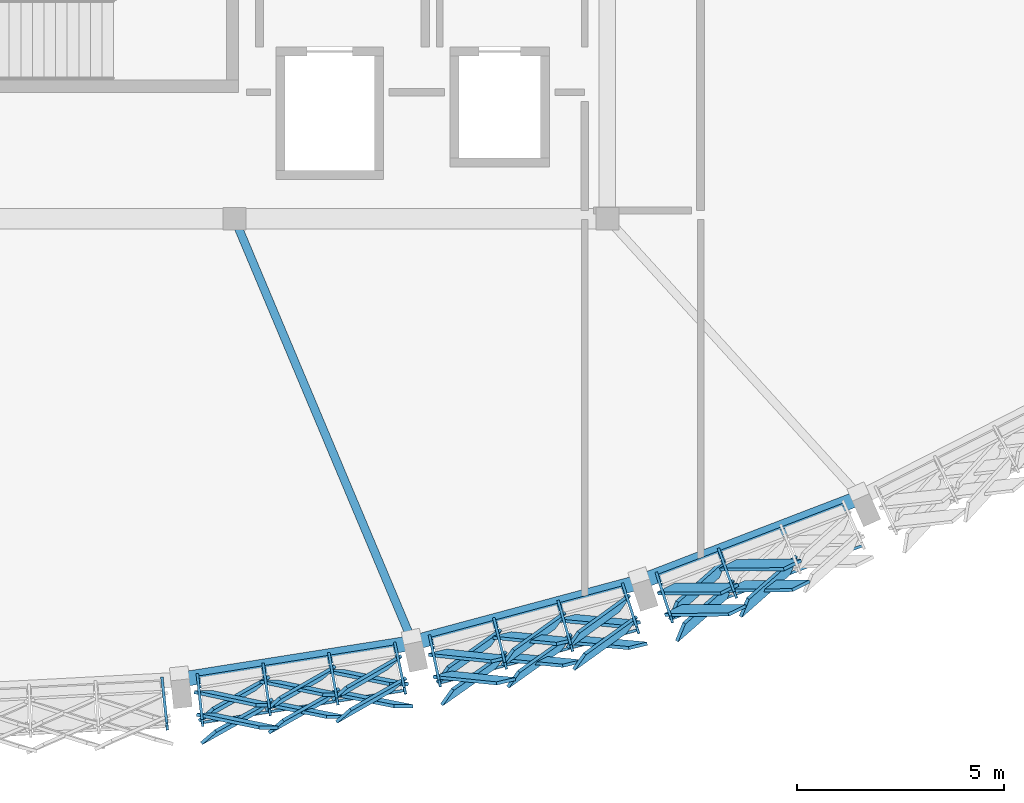
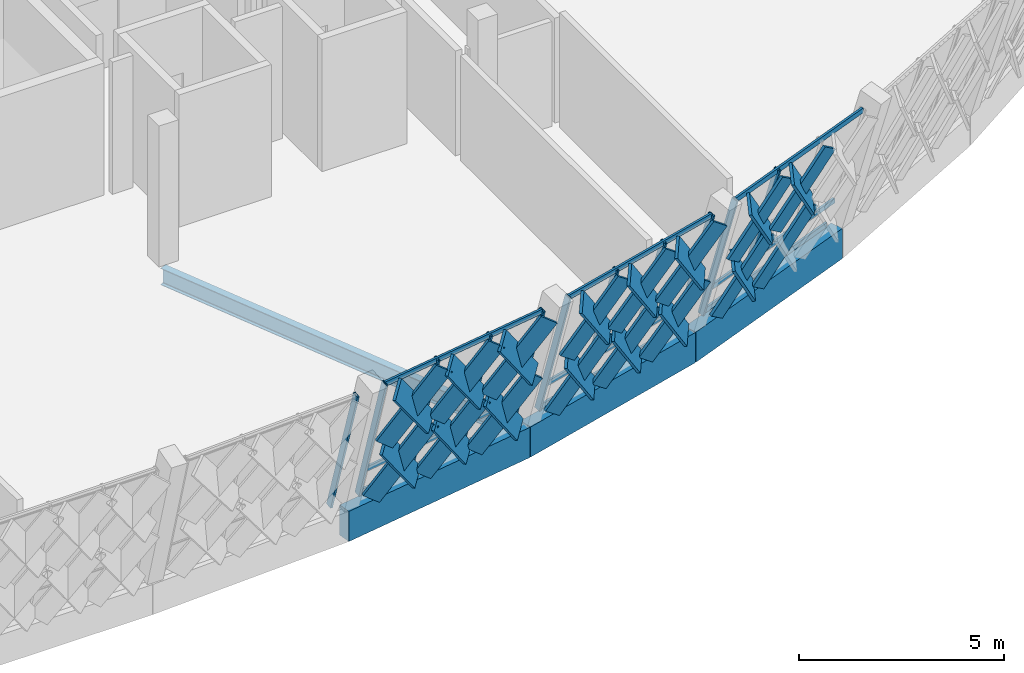
# One storey, part 50 of 94: 51 members, 4 beams, 4 elements without a shape of their own.
"""IFC4 building model written with IfcOpenShell, lengths in metres."""

from ifc_helpers import new_model, si_unit, direction, frame, origin, origin_2d, place, context, subcontext, project, spatial, rectangle, hollow_rectangle, i_section, extrude, material, material_profile, profile_set, type_object, element, aggregate, save


model = new_model("IFC4")

# Units and contexts
model_context = context("Model", 3, precision=1e-05, world=origin(), true_north=direction((0.0, 1.0)))
body_context = subcontext(model_context, "Body", "Model", "MODEL_VIEW")
ifc_project = project(units=[si_unit("LENGTHUNIT", "METRE"), si_unit("AREAUNIT", "SQUARE_METRE"), si_unit("VOLUMEUNIT", "CUBIC_METRE"), si_unit("PLANEANGLEUNIT", "RADIAN"), si_unit("MASSUNIT", "GRAM", prefix="KILO")], contexts=[model_context])

# Site, building, storey
site_placement = place(None, origin())
site = spatial("IfcSite", under=ifc_project, at=site_placement, CompositionType="ELEMENT")
building_placement = place(site_placement, origin())
building = spatial("IfcBuilding", under=site, at=building_placement, Name="Chiffa Square Polytechnic", CompositionType="ELEMENT")
storey_placement = place(building_placement, frame((0.0, 0.0, 18.0)))
storey = spatial("IfcBuildingStorey", under=building, at=storey_placement, Name="L04", CompositionType="ELEMENT", Elevation=18.0)

# Beam
ifc_material_1 = material(Name="Steel S355", Category="steel")
ifc_material_profile_1 = material_profile(ifc_material_1, i_section(OverallWidth=0.199951171875, OverallDepth=0.5, WebThickness=0.01025390625, FlangeThickness=0.01611328125, FilletRadius=0.02099609375, at=origin_2d()), Name="IPE 500")
ifc_profile_set_1 = profile_set([ifc_material_profile_1], Name="Steel S355")
beam_type_1 = type_object("IfcBeamType", Name="BM-STL-IPE500", PredefinedType="BEAM", material=ifc_profile_set_1)
beam_1_placement = place(storey_placement, frame((134.506103515625, 4.160888671875, -0.489990234375), z_axis=(-0.38767374813, 0.921796650575, 0.0), x_axis=(-0.921796650575, -0.38767374813, 0.0)))
element("IfcBeam", 1, at=beam_1_placement, inside=storey, type_object=beam_type_1, Name="Prow radial tie girder BM-V1-RAD-L04-05", PredefinedType="BEAM", context=body_context, shape_type="SweptSolid", body=[
    extrude(i_section(OverallWidth=0.199951171875, OverallDepth=0.5, WebThickness=0.01025390625, FlangeThickness=0.01611328125, FilletRadius=0.02099609375, at=origin_2d()), origin(), (0.0, 0.0, 1.0), 11.107666015625),
])

# Curtain wall, member
ifc_material_2 = material(Name="Aluminium EN AW-6060 T66 and glulam shading", Category="wood")
curtain_wall_type_1 = type_object("IfcCurtainWallType", Name="CW-PROW-LEAN-150", PredefinedType="USERDEFINED", material=ifc_material_2)
curtain_wall_1_placement = place(storey_placement, origin())
curtain_wall_1 = element("IfcCurtainWall", 2, at=curtain_wall_1_placement, inside=storey, type_object=curtain_wall_type_1, Name="Outward-leaning diamond-fin prow curtain wall CW-V1-L04-063", ObjectType="CURTAIN WALL", PredefinedType="USERDEFINED")
ifc_material_3 = material(Name="Aluminium EN AW-6060 T66", Category="aluminium")
ifc_material_profile_2 = material_profile(ifc_material_3, hollow_rectangle(XDim=0.06494140625, YDim=0.179931640625, WallThickness=0.00390625, at=origin_2d()), Name="ALU 65x180x4")
ifc_profile_set_2 = profile_set([ifc_material_profile_2], Name="Aluminium EN AW-6060 T66")
member_type_1 = type_object("IfcMemberType", Name="CWM-ALU-75X180", PredefinedType="MULLION", material=ifc_profile_set_2)
member_1_placement = place(storey_placement, frame((128.455078125, 3.248046875, 0.0), z_axis=(0.028321034667, -0.270868337882, 0.962199699921), x_axis=(0.994578385047, 0.103989595619, 0.0)))
member_1 = element("IfcMember", 3, at=member_1_placement, type_object=member_type_1, Name="Leaning prow mullion CW-V1-L04-063-M03", PredefinedType="MULLION", context=body_context, shape_type="SweptSolid", body=[
    extrude(hollow_rectangle(XDim=0.06494140625, YDim=0.179931640625, WallThickness=0.00390625, at=origin_2d()), origin(), (0.0, 0.0, 1.0), 4.0947265625),
])
aggregate(curtain_wall_1, [member_1])

# Curtain wall, members
curtain_wall_type_2 = type_object("IfcCurtainWallType", Name="CW-PROW-LEAN-300", PredefinedType="USERDEFINED", material=ifc_material_2)
curtain_wall_2_placement = place(storey_placement, origin())
curtain_wall_2 = element("IfcCurtainWall", 4, at=curtain_wall_2_placement, inside=storey, type_object=curtain_wall_type_2, Name="Outward-leaning diamond-fin prow curtain wall CW-V1-L04-064", ObjectType="CURTAIN WALL", PredefinedType="USERDEFINED")
member_2_placement = place(storey_placement, frame((129.30908203125, 3.337890625, 0.0), z_axis=(0.028321492014, -0.270813087849, 0.962215238156), x_axis=(0.99457601685, 0.104012243066, 0.0)))
member_2 = element("IfcMember", 5, at=member_2_placement, type_object=member_type_1, Name="Leaning prow mullion CW-V1-L04-064-M00", PredefinedType="MULLION", context=body_context, shape_type="SweptSolid", body=[
    extrude(hollow_rectangle(XDim=0.06494140625, YDim=0.179931640625, WallThickness=0.00390625, at=origin_2d()), origin(), (0.0, 0.0, 1.0), 4.0947265625),
])
member_3_placement = place(storey_placement, frame((130.899658203125, 3.590087890625, 0.0), z_axis=(0.037686019238, -0.269347703956, 0.962305345682), x_axis=(0.990353183192, 0.138566130568, 0.0)))
member_3 = element("IfcMember", 6, at=member_3_placement, type_object=member_type_1, Name="Leaning prow mullion CW-V1-L04-064-M01", PredefinedType="MULLION", context=body_context, shape_type="SweptSolid", body=[
    extrude(hollow_rectangle(XDim=0.06494140625, YDim=0.179931640625, WallThickness=0.00390625, at=origin_2d()), origin(), (0.0, 0.0, 1.0), 4.09423828125),
])
member_4_placement = place(storey_placement, frame((132.490234375, 3.842041015625, 0.0), z_axis=(0.047108322377, -0.267801868094, 0.962321653819), x_axis=(0.984878343964, 0.173247359548, 0.0)))
member_4 = element("IfcMember", 7, at=member_4_placement, type_object=member_type_1, Name="Leaning prow mullion CW-V1-L04-064-M02", PredefinedType="MULLION", context=body_context, shape_type="SweptSolid", body=[
    extrude(hollow_rectangle(XDim=0.06494140625, YDim=0.179931640625, WallThickness=0.00390625, at=origin_2d()), origin(), (0.0, 0.0, 1.0), 4.09423828125),
])
member_5_placement = place(storey_placement, frame((134.0810546875, 4.093994140625, 0.0), z_axis=(0.056406918521, -0.266233500206, 0.962256713622), x_axis=(0.978283962447, 0.207269121719, 0.0)))
member_5 = element("IfcMember", 8, at=member_5_placement, type_object=member_type_1, Name="Leaning prow mullion CW-V1-L04-064-M03", PredefinedType="MULLION", context=body_context, shape_type="SweptSolid", body=[
    extrude(hollow_rectangle(XDim=0.06494140625, YDim=0.179931640625, WallThickness=0.00390625, at=origin_2d()), origin(), (0.0, 0.0, 1.0), 4.094482421875),
])

curtain_wall_3_placement = place(storey_placement, origin())
curtain_wall_3 = element("IfcCurtainWall", 9, at=curtain_wall_3_placement, inside=storey, type_object=curtain_wall_type_1, Name="Outward-leaning diamond-fin prow curtain wall CW-V1-L04-065", ObjectType="CURTAIN WALL", PredefinedType="USERDEFINED")
member_6_placement = place(storey_placement, frame((134.9208984375, 4.27197265625, 0.0), z_axis=(0.056466355268, -0.266232604298, 0.96225347551), x_axis=(0.978239515402, 0.207478795316, 0.0)))
member_6 = element("IfcMember", 10, at=member_6_placement, type_object=member_type_1, Name="Leaning prow mullion CW-V1-L04-065-M00", PredefinedType="MULLION", context=body_context, shape_type="SweptSolid", body=[
    extrude(hollow_rectangle(XDim=0.06494140625, YDim=0.179931640625, WallThickness=0.00390625, at=origin_2d()), origin(), (0.0, 0.0, 1.0), 4.094482421875),
])
member_7_placement = place(storey_placement, frame((136.476806640625, 4.68896484375, 0.0), z_axis=(0.065654571764, -0.26381092233, 0.962337401573), x_axis=(0.970400008655, 0.241503257127, 0.0)))
member_7 = element("IfcMember", 11, at=member_7_placement, type_object=member_type_1, Name="Leaning prow mullion CW-V1-L04-065-M01", PredefinedType="MULLION", context=body_context, shape_type="SweptSolid", body=[
    extrude(hollow_rectangle(XDim=0.06494140625, YDim=0.179931640625, WallThickness=0.00390625, at=origin_2d()), origin(), (0.0, 0.0, 1.0), 4.09423828125),
])
member_8_placement = place(storey_placement, frame((138.0322265625, 5.10595703125, 0.0), z_axis=(0.075015521473, -0.261361709553, 0.962321530632), x_axis=(0.961192230665, 0.275879494907, 0.0)))
member_8 = element("IfcMember", 12, at=member_8_placement, type_object=member_type_1, Name="Leaning prow mullion CW-V1-L04-065-M02", PredefinedType="MULLION", context=body_context, shape_type="SweptSolid", body=[
    extrude(hollow_rectangle(XDim=0.06494140625, YDim=0.179931640625, WallThickness=0.00390625, at=origin_2d()), origin(), (0.0, 0.0, 1.0), 4.09423828125),
])
member_9_placement = place(storey_placement, frame((139.587890625, 5.52294921875, 0.0), z_axis=(0.084309063842, -0.258889643001, 0.962220418875), x_axis=(0.95085044062, 0.309650511985, 0.0)))
member_9 = element("IfcMember", 13, at=member_9_placement, type_object=member_type_1, Name="Leaning prow mullion CW-V1-L04-065-M03", PredefinedType="MULLION", context=body_context, shape_type="SweptSolid", body=[
    extrude(hollow_rectangle(XDim=0.06494140625, YDim=0.179931640625, WallThickness=0.00390625, at=origin_2d()), origin(), (0.0, 0.0, 1.0), 4.0947265625),
])

curtain_wall_4_placement = place(storey_placement, origin())
curtain_wall_4 = element("IfcCurtainWall", 14, at=curtain_wall_4_placement, inside=storey, type_object=curtain_wall_type_2, Name="Outward-leaning diamond-fin prow curtain wall CW-V1-L04-066", ObjectType="CURTAIN WALL", PredefinedType="USERDEFINED")
member_10_placement = place(storey_placement, frame((140.404052734375, 5.7880859375, 0.0), z_axis=(0.084249862694, -0.25889094396, 0.962225254175), x_axis=(0.95091490161, 0.309452500225, 0.0)))
member_10 = element("IfcMember", 15, at=member_10_placement, type_object=member_type_1, Name="Leaning prow mullion CW-V1-L04-066-M00", PredefinedType="MULLION", context=body_context, shape_type="SweptSolid", body=[
    extrude(hollow_rectangle(XDim=0.06494140625, YDim=0.179931640625, WallThickness=0.00390625, at=origin_2d()), origin(), (0.0, 0.0, 1.0), 4.0947265625),
])
member_11_placement = place(storey_placement, frame((141.907958984375, 6.365234375, 0.0), z_axis=(0.093143403347, -0.255458604315, 0.962322818962), x_axis=(0.939498534695, 0.342552920447, 0.0)))
member_11 = element("IfcMember", 16, at=member_11_placement, type_object=member_type_1, Name="Leaning prow mullion CW-V1-L04-066-M01", PredefinedType="MULLION", context=body_context, shape_type="SweptSolid", body=[
    extrude(hollow_rectangle(XDim=0.06494140625, YDim=0.179931640625, WallThickness=0.00390625, at=origin_2d()), origin(), (0.0, 0.0, 1.0), 4.09423828125),
])

# Member
ifc_material_4 = material(Name="Glulam GL28h", Category="wood")
ifc_material_profile_3 = material_profile(ifc_material_4, rectangle(XDim=0.080078125, YDim=0.580078125, at=origin_2d()), Name="GL28h 80x580")
ifc_profile_set_3 = profile_set([ifc_material_profile_3], Name="Glulam GL28h")
member_type_2 = type_object("IfcMemberType", Name="CWM-GL-80X580", PredefinedType="MULLION", material=ifc_profile_set_3)
member_12_placement = place(storey_placement, frame((129.4560546875, 2.969970703125, 0.0400390625), z_axis=(0.606293376621, -0.128466289397, 0.784795995119), x_axis=(0.08463119779, 0.991684466276, 0.09695091391)))
member_12 = element("IfcMember", 17, at=member_12_placement, type_object=member_type_2, Name="Diamond glulam fin CW-V1-L04-064-DF01A", PredefinedType="MULLION", context=body_context, shape_type="SweptSolid", body=[
    extrude(rectangle(XDim=0.080078125, YDim=0.580078125, at=origin_2d()), origin(), (0.0, 0.0, 1.0), 2.459228515625),
])

member_13_placement = place(storey_placement, frame((130.8720703125, 3.195068359375, 0.0400390625), z_axis=(-0.547253930457, -0.309484246848, 0.77764557258), x_axis=(0.592088443697, -0.799848981971, 0.098350805187)))
member_13 = element("IfcMember", 18, at=member_13_placement, type_object=member_type_2, Name="Diamond glulam fin CW-V1-L04-064-DF01B", PredefinedType="MULLION", context=body_context, shape_type="SweptSolid", body=[
    extrude(rectangle(XDim=0.080078125, YDim=0.580078125, at=origin_2d()), origin(), (0.0, 0.0, 1.0), 2.481689453125),
])

member_14_placement = place(storey_placement, frame((129.513916015625, 2.427001953125, 1.969970703125), z_axis=(0.610752870472, -0.126758164148, 0.7816094287), x_axis=(0.080992286736, 0.991926721177, 0.097578836354)))
member_14 = element("IfcMember", 19, at=member_14_placement, type_object=member_type_2, Name="Diamond glulam fin CW-V1-L04-064-DF02A", PredefinedType="MULLION", context=body_context, shape_type="SweptSolid", body=[
    extrude(rectangle(XDim=0.080078125, YDim=0.580078125, at=origin_2d()), origin(), (0.0, 0.0, 1.0), 2.46923828125),
])

member_15_placement = place(storey_placement, frame((130.947021484375, 2.654052734375, 1.969970703125), z_axis=(-0.551848867553, -0.309043204592, 0.774567702061), x_axis=(0.58831728386, -0.802554034693, 0.098943392445)))
member_15 = element("IfcMember", 20, at=member_15_placement, type_object=member_type_2, Name="Diamond glulam fin CW-V1-L04-064-DF02B", PredefinedType="MULLION", context=body_context, shape_type="SweptSolid", body=[
    extrude(rectangle(XDim=0.080078125, YDim=0.580078125, at=origin_2d()), origin(), (0.0, 0.0, 1.0), 2.49169921875),
])

member_16_placement = place(storey_placement, frame((131.047119140625, 3.221923828125, 0.0400390625), z_axis=(0.611186545998, -0.12670458473, 0.781279050148), x_axis=(0.080819470499, 0.991934447444, 0.097643561804)))
member_16 = element("IfcMember", 21, at=member_16_placement, type_object=member_type_2, Name="Diamond glulam fin CW-V1-L04-064-DF03A", PredefinedType="MULLION", context=body_context, shape_type="SweptSolid", body=[
    extrude(rectangle(XDim=0.080078125, YDim=0.580078125, at=origin_2d()), origin(), (0.0, 0.0, 1.0), 2.47021484375),
])

member_17_placement = place(storey_placement, frame((132.462890625, 3.447021484375, 0.0400390625), z_axis=(-0.541974403623, -0.309727895871, 0.781237720759), x_axis=(0.596172111922, -0.796895832259, 0.097651653824)))
member_17 = element("IfcMember", 22, at=member_17_placement, type_object=member_type_2, Name="Diamond glulam fin CW-V1-L04-064-DF03B", PredefinedType="MULLION", context=body_context, shape_type="SweptSolid", body=[
    extrude(rectangle(XDim=0.080078125, YDim=0.580078125, at=origin_2d()), origin(), (0.0, 0.0, 1.0), 2.470458984375),
])

member_18_placement = place(storey_placement, frame((131.1240234375, 2.681884765625, 1.969970703125), z_axis=(0.615347415258, -0.124940139194, 0.778291410818), x_axis=(0.077213148352, 0.992164220325, 0.098225707576)))
member_18 = element("IfcMember", 23, at=member_18_placement, type_object=member_type_2, Name="Diamond glulam fin CW-V1-L04-064-DF04A", PredefinedType="MULLION", context=body_context, shape_type="SweptSolid", body=[
    extrude(rectangle(XDim=0.080078125, YDim=0.580078125, at=origin_2d()), origin(), (0.0, 0.0, 1.0), 2.479736328125),
])

member_19_placement = place(storey_placement, frame((132.556884765625, 2.908935546875, 1.969970703125), z_axis=(-0.546716514963, -0.309189156194, 0.778140808568), x_axis=(0.59216566623, -0.799803599566, 0.098254902468)))
member_19 = element("IfcMember", 24, at=member_19_placement, type_object=member_type_2, Name="Diamond glulam fin CW-V1-L04-064-DF04B", PredefinedType="MULLION", context=body_context, shape_type="SweptSolid", body=[
    extrude(rectangle(XDim=0.080078125, YDim=0.580078125, at=origin_2d()), origin(), (0.0, 0.0, 1.0), 2.480224609375),
])

member_20_placement = place(storey_placement, frame((132.637939453125, 3.47412109375, 0.0400390625), z_axis=(0.616164429302, -0.124551200303, 0.777707139331), x_axis=(0.076444534966, 0.992212525399, 0.098338891165)))
member_20 = element("IfcMember", 25, at=member_20_placement, type_object=member_type_2, Name="Diamond glulam fin CW-V1-L04-064-DF05A", PredefinedType="MULLION", context=body_context, shape_type="SweptSolid", body=[
    extrude(rectangle(XDim=0.080078125, YDim=0.580078125, at=origin_2d()), origin(), (0.0, 0.0, 1.0), 2.4814453125),
])

member_21_placement = place(storey_placement, frame((134.053955078125, 3.698974609375, 0.0400390625), z_axis=(-0.536847546024, -0.309479156826, 0.784867736512), x_axis=(0.599653517192, -0.794367002947, 0.09693670073)))
member_21 = element("IfcMember", 26, at=member_21_placement, type_object=member_type_2, Name="Diamond glulam fin CW-V1-L04-064-DF05B", PredefinedType="MULLION", context=body_context, shape_type="SweptSolid", body=[
    extrude(rectangle(XDim=0.080078125, YDim=0.580078125, at=origin_2d()), origin(), (0.0, 0.0, 1.0), 2.458984375),
])

member_22_placement = place(storey_placement, frame((132.73388671875, 2.93798828125, 1.969970703125), z_axis=(0.620235944896, -0.123184797398, 0.774682437099), x_axis=(0.073540918163, 0.992374066761, 0.098921408079)))
member_22 = element("IfcMember", 27, at=member_22_placement, type_object=member_type_2, Name="Diamond glulam fin CW-V1-L04-064-DF06A", PredefinedType="MULLION", context=body_context, shape_type="SweptSolid", body=[
    extrude(rectangle(XDim=0.080078125, YDim=0.580078125, at=origin_2d()), origin(), (0.0, 0.0, 1.0), 2.4912109375),
])

member_23_placement = place(storey_placement, frame((134.1669921875, 3.1650390625, 1.969970703125), z_axis=(-0.541761441653, -0.309436735834, 0.781500765742), x_axis=(0.596019906895, -0.797015987733, 0.097600132597)))
member_23 = element("IfcMember", 28, at=member_23_placement, type_object=member_type_2, Name="Diamond glulam fin CW-V1-L04-064-DF06B", PredefinedType="MULLION", context=body_context, shape_type="SweptSolid", body=[
    extrude(rectangle(XDim=0.080078125, YDim=0.580078125, at=origin_2d()), origin(), (0.0, 0.0, 1.0), 2.469482421875),
])

member_24_placement = place(storey_placement, frame((135.10595703125, 3.922119140625, 0.0400390625), z_axis=(0.616476162136, -0.064327947353, 0.784741394797), x_axis=(-0.101761246173, 0.98178888026, 0.160422078829)))
member_24 = element("IfcMember", 29, at=member_24_placement, type_object=member_type_2, Name="Diamond glulam fin CW-V1-L04-065-DF01A", PredefinedType="MULLION", context=body_context, shape_type="SweptSolid", body=[
    extrude(rectangle(XDim=0.080078125, YDim=0.580078125, at=origin_2d()), origin(), (0.0, 0.0, 1.0), 2.459228515625),
])

member_25_placement = place(storey_placement, frame((136.490966796875, 4.29296875, 0.0400390625), z_axis=(-0.512134452985, -0.36467199716, 0.77764557258), x_axis=(0.724226215596, -0.670088423968, 0.162720289784)))
member_25 = element("IfcMember", 30, at=member_25_placement, type_object=member_type_2, Name="Diamond glulam fin CW-V1-L04-065-DF01B", PredefinedType="MULLION", context=body_context, shape_type="SweptSolid", body=[
    extrude(rectangle(XDim=0.080078125, YDim=0.580078125, at=origin_2d()), origin(), (0.0, 0.0, 1.0), 2.481689453125),
])

member_26_placement = place(storey_placement, frame((135.219970703125, 3.387939453125, 1.969970703125), z_axis=(0.620518689953, -0.062397975038, 0.78170521818), x_axis=(-0.104661023991, 0.981321677391, 0.161412005564)))
member_26 = element("IfcMember", 31, at=member_26_placement, type_object=member_type_2, Name="Diamond glulam fin CW-V1-L04-065-DF02A", PredefinedType="MULLION", context=body_context, shape_type="SweptSolid", body=[
    extrude(rectangle(XDim=0.080078125, YDim=0.580078125, at=origin_2d()), origin(), (0.0, 0.0, 1.0), 2.468994140625),
])

member_27_placement = place(storey_placement, frame((136.6220703125, 3.763916015625, 1.969970703125), z_axis=(-0.516818616794, -0.365083962242, 0.774346316482), x_axis=(0.721001748922, -0.673301999351, 0.16377086347)))
member_27 = element("IfcMember", 32, at=member_27_placement, type_object=member_type_2, Name="Diamond glulam fin CW-V1-L04-065-DF02B", PredefinedType="MULLION", context=body_context, shape_type="SweptSolid", body=[
    extrude(rectangle(XDim=0.080078125, YDim=0.580078125, at=origin_2d()), origin(), (0.0, 0.0, 1.0), 2.492431640625),
])

member_28_placement = place(storey_placement, frame((136.662109375, 4.339111328125, 0.0400390625), z_axis=(0.62102008803, -0.061973515072, 0.781340728295), x_axis=(-0.105310061331, 0.981232791855, 0.161530180372)))
member_28 = element("IfcMember", 33, at=member_28_placement, type_object=member_type_2, Name="Diamond glulam fin CW-V1-L04-065-DF03A", PredefinedType="MULLION", context=body_context, shape_type="SweptSolid", body=[
    extrude(rectangle(XDim=0.080078125, YDim=0.580078125, at=origin_2d()), origin(), (0.0, 0.0, 1.0), 2.469970703125),
])

member_29_placement = place(storey_placement, frame((138.047119140625, 4.7099609375, 0.0400390625), z_axis=(-0.506897721205, -0.364286410677, 0.781249071189), x_axis=(0.727900219626, -0.666378028608, 0.161559875144)))
member_29 = element("IfcMember", 34, at=member_29_placement, type_object=member_type_2, Name="Diamond glulam fin CW-V1-L04-065-DF03B", PredefinedType="MULLION", context=body_context, shape_type="SweptSolid", body=[
    extrude(rectangle(XDim=0.080078125, YDim=0.580078125, at=origin_2d()), origin(), (0.0, 0.0, 1.0), 2.47021484375),
])

member_30_placement = place(storey_placement, frame((136.794921875, 3.81005859375, 1.969970703125), z_axis=(0.625303286868, -0.06013856576, 0.778061149487), x_axis=(-0.107980850817, 0.980767837714, 0.162587159277)))
member_30 = element("IfcMember", 35, at=member_30_placement, type_object=member_type_2, Name="Diamond glulam fin CW-V1-L04-065-DF04A", PredefinedType="MULLION", context=body_context, shape_type="SweptSolid", body=[
    extrude(rectangle(XDim=0.080078125, YDim=0.580078125, at=origin_2d()), origin(), (0.0, 0.0, 1.0), 2.48046875),
])

member_31_placement = place(storey_placement, frame((138.196044921875, 4.18603515625, 1.969970703125), z_axis=(-0.511262796452, -0.364892411715, 0.778115596063), x_axis=(0.725055722158, -0.669227383733, 0.162569703908)))
member_31 = element("IfcMember", 36, at=member_31_placement, type_object=member_type_2, Name="Diamond glulam fin CW-V1-L04-065-DF04B", PredefinedType="MULLION", context=body_context, shape_type="SweptSolid", body=[
    extrude(rectangle(XDim=0.080078125, YDim=0.580078125, at=origin_2d()), origin(), (0.0, 0.0, 1.0), 2.480224609375),
])

member_32_placement = place(storey_placement, frame((138.218017578125, 4.756103515625, 0.0400390625), z_axis=(0.625797217321, -0.059716854412, 0.777696431838), x_axis=(-0.1086155321, 0.980678373582, 0.162704006635)))
member_32 = element("IfcMember", 37, at=member_32_placement, type_object=member_type_2, Name="Diamond glulam fin CW-V1-L04-065-DF05A", PredefinedType="MULLION", context=body_context, shape_type="SweptSolid", body=[
    extrude(rectangle(XDim=0.080078125, YDim=0.580078125, at=origin_2d()), origin(), (0.0, 0.0, 1.0), 2.481689453125),
])

member_33_placement = place(storey_placement, frame((139.60302734375, 5.126953125, 0.0400390625), z_axis=(-0.50179634557, -0.363914026282, 0.784708231796), x_axis=(0.731493611362, -0.662705339218, 0.160432945207)))
member_33 = element("IfcMember", 38, at=member_33_placement, type_object=member_type_2, Name="Diamond glulam fin CW-V1-L04-065-DF05B", PredefinedType="MULLION", context=body_context, shape_type="SweptSolid", body=[
    extrude(rectangle(XDim=0.080078125, YDim=0.580078125, at=origin_2d()), origin(), (0.0, 0.0, 1.0), 2.45947265625),
])

member_34_placement = place(storey_placement, frame((138.368896484375, 4.23193359375, 1.969970703125), z_axis=(0.630021409048, -0.057800129271, 0.774423765904), x_axis=(-0.111350943924, 0.980197993664, 0.163746329745)))
member_34 = element("IfcMember", 39, at=member_34_placement, type_object=member_type_2, Name="Diamond glulam fin CW-V1-L04-065-DF06A", PredefinedType="MULLION", context=body_context, shape_type="SweptSolid", body=[
    extrude(rectangle(XDim=0.080078125, YDim=0.580078125, at=origin_2d()), origin(), (0.0, 0.0, 1.0), 2.4921875),
])

member_35_placement = place(storey_placement, frame((139.77099609375, 4.60791015625, 1.969970703125), z_axis=(-0.506236351041, -0.364450623034, 0.781601241206), x_axis=(0.728528721502, -0.665718542452, 0.161445731387)))
member_35 = element("IfcMember", 40, at=member_35_placement, type_object=member_type_2, Name="Diamond glulam fin CW-V1-L04-065-DF06B", PredefinedType="MULLION", context=body_context, shape_type="SweptSolid", body=[
    extrude(rectangle(XDim=0.080078125, YDim=0.580078125, at=origin_2d()), origin(), (0.0, 0.0, 1.0), 2.46923828125),
])

member_36_placement = place(storey_placement, frame((140.625, 5.458984375, 0.0400390625), z_axis=(0.619718274906, 0.00039712802, 0.784824249139), x_axis=(-0.281854056288, 0.933400000398, 0.222087213074)))
member_36 = element("IfcMember", 41, at=member_36_placement, type_object=member_type_2, Name="Diamond glulam fin CW-V1-L04-066-DF01A", PredefinedType="MULLION", context=body_context, shape_type="SweptSolid", body=[
    extrude(rectangle(XDim=0.080078125, YDim=0.580078125, at=origin_2d()), origin(), (0.0, 0.0, 1.0), 2.458984375),
])

member_37_placement = place(storey_placement, frame((141.962890625, 5.972900390625, 0.0400390625), z_axis=(-0.470748858585, -0.416333281913, 0.77785738443), x_axis=(0.827295306399, -0.514647020535, 0.225213055272)))
member_37 = element("IfcMember", 42, at=member_37_placement, type_object=member_type_2, Name="Diamond glulam fin CW-V1-L04-066-DF01B", PredefinedType="MULLION", context=body_context, shape_type="SweptSolid", body=[
    extrude(rectangle(XDim=0.080078125, YDim=0.580078125, at=origin_2d()), origin(), (0.0, 0.0, 1.0), 2.481201171875),
])

member_38_placement = place(storey_placement, frame((140.794921875, 4.93994140625, 1.969970703125), z_axis=(0.62372733158, 0.002867484562, 0.781636740035), x_axis=(-0.284402533907, 0.932282798081, 0.223526247026)))
member_38 = element("IfcMember", 43, at=member_38_placement, type_object=member_type_2, Name="Diamond glulam fin CW-V1-L04-066-DF02A", PredefinedType="MULLION", context=body_context, shape_type="SweptSolid", body=[
    extrude(rectangle(XDim=0.080078125, YDim=0.580078125, at=origin_2d()), origin(), (0.0, 0.0, 1.0), 2.468994140625),
])

member_39_placement = place(storey_placement, frame((142.14892578125, 5.4599609375, 1.969970703125), z_axis=(-0.47522007376, -0.417103863461, 0.77471946444), x_axis=(0.824503143156, -0.518505511242, 0.226597885555)))
member_39 = element("IfcMember", 44, at=member_39_placement, type_object=member_type_2, Name="Diamond glulam fin CW-V1-L04-066-DF02B", PredefinedType="MULLION", context=body_context, shape_type="SweptSolid", body=[
    extrude(rectangle(XDim=0.080078125, YDim=0.580078125, at=origin_2d()), origin(), (0.0, 0.0, 1.0), 2.4912109375),
])

member_40_placement = place(storey_placement, frame((142.12890625, 6.035888671875, 0.0400390625), z_axis=(0.624209509196, 0.003261385973, 0.781250185274), x_axis=(-0.284848934123, 0.932104883154, 0.223699735202)))
member_40 = element("IfcMember", 45, at=member_40_placement, type_object=member_type_2, Name="Diamond glulam fin CW-V1-L04-066-DF03A", PredefinedType="MULLION", context=body_context, shape_type="SweptSolid", body=[
    extrude(rectangle(XDim=0.080078125, YDim=0.580078125, at=origin_2d()), origin(), (0.0, 0.0, 1.0), 2.47021484375),
])

member_41_placement = place(storey_placement, frame((142.31689453125, 5.52392578125, 1.969970703125), z_axis=(0.628158147068, 0.006102445177, 0.778061760039), x_axis=(-0.287888381295, 0.930827695433, 0.225122369678)))
member_41 = element("IfcMember", 46, at=member_41_placement, type_object=member_type_2, Name="Diamond glulam fin CW-V1-L04-066-DF04A", PredefinedType="MULLION", context=body_context, shape_type="SweptSolid", body=[
    extrude(rectangle(XDim=0.080078125, YDim=0.580078125, at=origin_2d()), origin(), (0.0, 0.0, 1.0), 2.48046875),
])

member_42_placement = place(storey_placement, frame((143.6708984375, 6.0439453125, 1.969970703125), z_axis=(-0.470212841474, -0.416161993491, 0.778273138998), x_axis=(0.827592705396, -0.514249435876, 0.225028513033)))
member_42 = element("IfcMember", 47, at=member_42_placement, type_object=member_type_2, Name="Diamond glulam fin CW-V1-L04-066-DF04B", PredefinedType="MULLION", context=body_context, shape_type="SweptSolid", body=[
    extrude(rectangle(XDim=0.080078125, YDim=0.580078125, at=origin_2d()), origin(), (0.0, 0.0, 1.0), 2.479736328125),
])

ifc_material_profile_4 = material_profile(ifc_material_3, hollow_rectangle(XDim=0.06494140625, YDim=0.139892578125, WallThickness=0.00390625, at=origin_2d()), Name="ALU 65x140x4")
ifc_profile_set_4 = profile_set([ifc_material_profile_4], Name="Aluminium EN AW-6060 T66")
member_type_3 = type_object("IfcMemberType", Name="CWT-ALU-75X140", PredefinedType="USERDEFINED", material=ifc_profile_set_4)
member_43_placement = place(storey_placement, frame((129.310302734375, 3.32666015625, 0.0400390625), z_axis=(0.98767597155, 0.156512540146, 0.0), x_axis=(-0.156512540146, 0.98767597155, 0.0)))
member_43 = element("IfcMember", 48, at=member_43_placement, type_object=member_type_3, Name="Leaning prow transom CW-V1-L04-064-T01", ObjectType="TRANSOM", PredefinedType="USERDEFINED", context=body_context, shape_type="SweptSolid", body=[
    extrude(hollow_rectangle(XDim=0.06494140625, YDim=0.139892578125, WallThickness=0.00390625, at=origin_2d()), origin(), (0.0, 0.0, 1.0), 4.83251953125),
])

member_44_placement = place(storey_placement, frame((129.333984375, 3.0986328125, 0.85009765625), z_axis=(0.987672316087, 0.156535606285, 0.0), x_axis=(-0.156535606285, 0.987672316087, 0.0)))
member_44 = element("IfcMember", 49, at=member_44_placement, type_object=member_type_3, Name="Leaning prow transom CW-V1-L04-064-T02", ObjectType="TRANSOM", PredefinedType="USERDEFINED", context=body_context, shape_type="SweptSolid", body=[
    extrude(hollow_rectangle(XDim=0.06494140625, YDim=0.139892578125, WallThickness=0.00390625, at=origin_2d()), origin(), (0.0, 0.0, 1.0), 4.856689453125),
])

member_45_placement = place(storey_placement, frame((129.423828125, 2.240234375, 3.89990234375), z_axis=(0.98765589594, 0.156639175222, 0.0), x_axis=(-0.156639175222, 0.98765589594, 0.0)))
member_45 = element("IfcMember", 50, at=member_45_placement, type_object=member_type_3, Name="Leaning prow transom CW-V1-L04-064-T03", ObjectType="TRANSOM", PredefinedType="USERDEFINED", context=body_context, shape_type="SweptSolid", body=[
    extrude(hollow_rectangle(XDim=0.06494140625, YDim=0.139892578125, WallThickness=0.00390625, at=origin_2d()), origin(), (0.0, 0.0, 1.0), 4.947021484375),
])

aggregate(curtain_wall_2, [member_2, member_3, member_4, member_5, member_43, member_44, member_45, member_12, member_13, member_14, member_15, member_16, member_17, member_18, member_19, member_20, member_21, member_22, member_23])

member_46_placement = place(storey_placement, frame((134.92333984375, 4.260986328125, 0.0400390625), z_axis=(0.965906330999, 0.258891791557, 0.0), x_axis=(-0.258891791557, 0.965906330999, 0.0)))
member_46 = element("IfcMember", 51, at=member_46_placement, type_object=member_type_3, Name="Leaning prow transom CW-V1-L04-065-T01", ObjectType="TRANSOM", PredefinedType="USERDEFINED", context=body_context, shape_type="SweptSolid", body=[
    extrude(hollow_rectangle(XDim=0.06494140625, YDim=0.139892578125, WallThickness=0.00390625, at=origin_2d()), origin(), (0.0, 0.0, 1.0), 4.8330078125),
])

member_47_placement = place(storey_placement, frame((134.970703125, 4.036865234375, 0.85009765625), z_axis=(0.965915516848, 0.258857517394, 0.0), x_axis=(-0.258857517394, 0.965915516848, 0.0)))
member_47 = element("IfcMember", 52, at=member_47_placement, type_object=member_type_3, Name="Leaning prow transom CW-V1-L04-065-T02", ObjectType="TRANSOM", PredefinedType="USERDEFINED", context=body_context, shape_type="SweptSolid", body=[
    extrude(hollow_rectangle(XDim=0.06494140625, YDim=0.139892578125, WallThickness=0.00390625, at=origin_2d()), origin(), (0.0, 0.0, 1.0), 4.857177734375),
])

member_48_placement = place(storey_placement, frame((135.149658203125, 3.193115234375, 3.89990234375), z_axis=(0.965924707427, 0.258823220715, 0.0), x_axis=(-0.258823220715, 0.965924707427, 0.0)))
member_48 = element("IfcMember", 53, at=member_48_placement, type_object=member_type_3, Name="Leaning prow transom CW-V1-L04-065-T03", ObjectType="TRANSOM", PredefinedType="USERDEFINED", context=body_context, shape_type="SweptSolid", body=[
    extrude(hollow_rectangle(XDim=0.06494140625, YDim=0.139892578125, WallThickness=0.00390625, at=origin_2d()), origin(), (0.0, 0.0, 1.0), 4.948486328125),
])

aggregate(curtain_wall_3, [member_6, member_7, member_8, member_9, member_46, member_47, member_48, member_24, member_25, member_26, member_27, member_28, member_29, member_30, member_31, member_32, member_33, member_34, member_35])

member_49_placement = place(storey_placement, frame((140.407470703125, 5.777099609375, 0.0400390625), z_axis=(0.933565397599, 0.35840709871, 0.0), x_axis=(-0.35840709871, 0.933565397599, 0.0)))
member_49 = element("IfcMember", 54, at=member_49_placement, type_object=member_type_3, Name="Leaning prow transom CW-V1-L04-066-T01", ObjectType="TRANSOM", PredefinedType="USERDEFINED", context=body_context, shape_type="SweptSolid", body=[
    extrude(hollow_rectangle(XDim=0.06494140625, YDim=0.139892578125, WallThickness=0.00390625, at=origin_2d()), origin(), (0.0, 0.0, 1.0), 4.83447265625),
])

member_50_placement = place(storey_placement, frame((140.478515625, 5.559326171875, 0.85009765625), z_axis=(0.933581135668, 0.358366102086, 0.0), x_axis=(-0.358366102086, 0.933581135668, 0.0)))
member_50 = element("IfcMember", 55, at=member_50_placement, type_object=member_type_3, Name="Leaning prow transom CW-V1-L04-066-T02", ObjectType="TRANSOM", PredefinedType="USERDEFINED", context=body_context, shape_type="SweptSolid", body=[
    extrude(hollow_rectangle(XDim=0.06494140625, YDim=0.139892578125, WallThickness=0.00390625, at=origin_2d()), origin(), (0.0, 0.0, 1.0), 4.858154296875),
])

member_51_placement = place(storey_placement, frame((140.74560546875, 4.73876953125, 3.89990234375), z_axis=(0.933578101361, 0.358374006674, 0.0), x_axis=(-0.358374006674, 0.933578101361, 0.0)))
member_51 = element("IfcMember", 56, at=member_51_placement, type_object=member_type_3, Name="Leaning prow transom CW-V1-L04-066-T03", ObjectType="TRANSOM", PredefinedType="USERDEFINED", context=body_context, shape_type="SweptSolid", body=[
    extrude(hollow_rectangle(XDim=0.06494140625, YDim=0.139892578125, WallThickness=0.00390625, at=origin_2d()), origin(), (0.0, 0.0, 1.0), 4.948486328125),
])

aggregate(curtain_wall_4, [member_10, member_11, member_49, member_50, member_51, member_36, member_37, member_38, member_39, member_40, member_41, member_42])

# Beams
ifc_material_5 = material(Name="Glulam GL32c", Category="wood")
ifc_material_profile_5 = material_profile(ifc_material_5, rectangle(XDim=0.360107421875, YDim=0.89990234375, at=origin_2d()), Name="GL32c 360x900")
ifc_profile_set_5 = profile_set([ifc_material_profile_5], Name="Glulam GL32c")
beam_type_2 = type_object("IfcBeamType", Name="RB-GL-360X900", PredefinedType="SPANDREL", material=ifc_profile_set_5)
beam_2_placement = place(storey_placement, frame((128.884033203125, 3.27099609375, -0.68994140625), z_axis=(0.987703425162, 0.156339195098, 0.0), x_axis=(-0.156339195098, 0.987703425162, 0.0)))
element("IfcBeam", 57, at=beam_2_placement, inside=storey, type_object=beam_type_2, Name="Prow perimeter edge beam RB-V1-PROW-L04-04", PredefinedType="SPANDREL", context=body_context, shape_type="SweptSolid", body=[
    extrude(rectangle(XDim=0.360107421875, YDim=0.89990234375, at=origin_2d()), origin(), (0.0, 0.0, 1.0), 5.692138671875),
])
beam_3_placement = place(storey_placement, frame((134.506103515625, 4.160888671875, -0.68994140625), z_axis=(0.965913770813, 0.25886403256, 0.0), x_axis=(-0.25886403256, 0.965913770813, 0.0)))
element("IfcBeam", 58, at=beam_3_placement, inside=storey, type_object=beam_type_2, Name="Prow perimeter edge beam RB-V1-PROW-L04-05", PredefinedType="SPANDREL", context=body_context, shape_type="SweptSolid", body=[
    extrude(rectangle(XDim=0.360107421875, YDim=0.89990234375, at=origin_2d()), origin(), (0.0, 0.0, 1.0), 5.69091796875),
])
beam_4_placement = place(storey_placement, frame((140.0029296875, 5.634033203125, -0.68994140625), z_axis=(0.933568724907, 0.358398431743, 0.0), x_axis=(-0.358398431743, 0.933568724907, 0.0)))
element("IfcBeam", 59, at=beam_4_placement, inside=storey, type_object=beam_type_2, Name="Prow perimeter edge beam RB-V1-PROW-L04-06", PredefinedType="SPANDREL", context=body_context, shape_type="SweptSolid", body=[
    extrude(rectangle(XDim=0.360107421875, YDim=0.89990234375, at=origin_2d()), origin(), (0.0, 0.0, 1.0), 5.692138671875),
])

save(model, "model.ifc")
